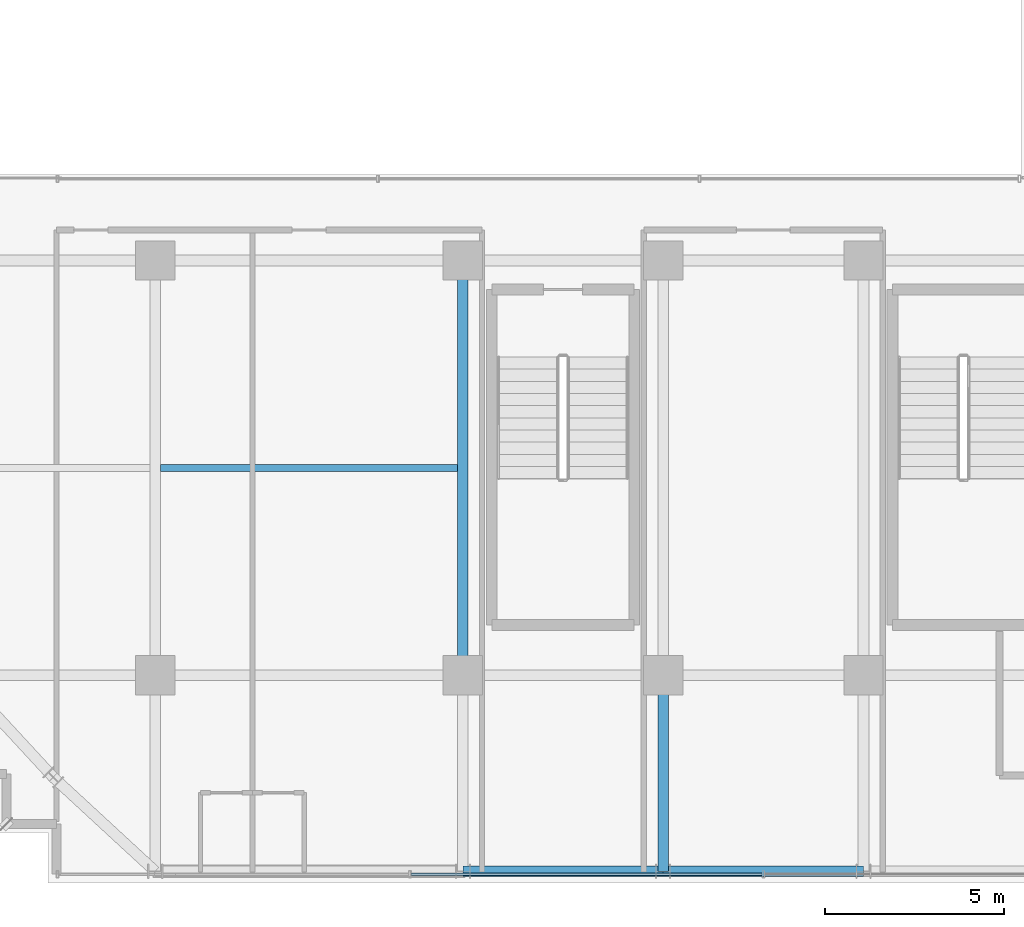
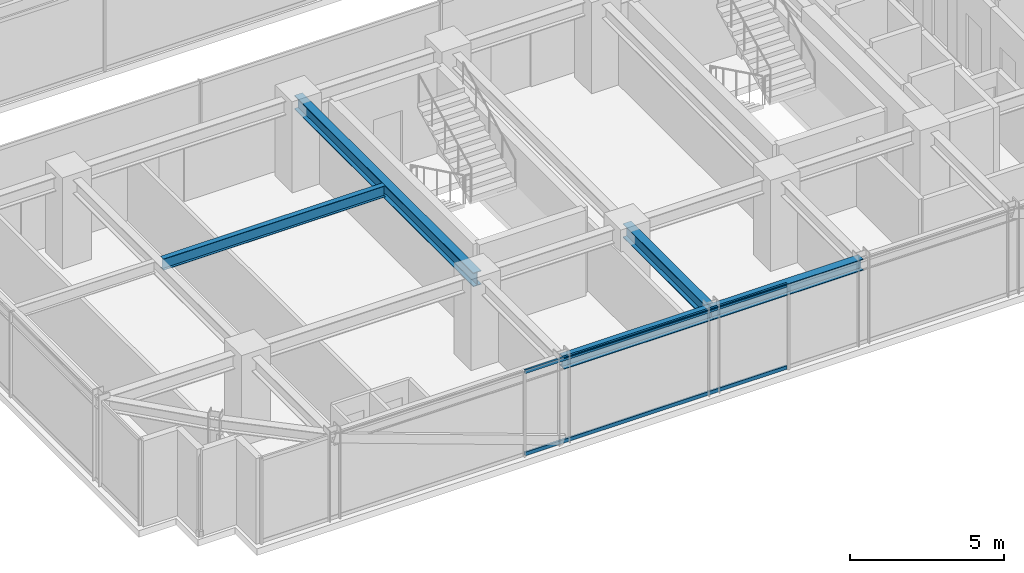
# One storey, part 5 of 41: 5 beams, 2 members, 1 element without a shape of its own.
"""IFC4 building model written with IfcOpenShell, lengths in metres."""

from ifc_helpers import new_model, si_unit, direction, frame, origin, origin_2d, place, context, subcontext, project, spatial, hollow_rectangle, i_section, extrude, source, transform, mapped, material, material_profile, profile_set, type_object, element, aggregate, save


model = new_model("IFC4")

# Units and contexts
model_context = context("Model", 3, precision=1e-05, world=origin(), true_north=direction((0.0, 1.0)))
body_context = subcontext(model_context, "Body", "Model", "MODEL_VIEW")
ifc_project = project(units=[si_unit("LENGTHUNIT", "METRE"), si_unit("AREAUNIT", "SQUARE_METRE"), si_unit("VOLUMEUNIT", "CUBIC_METRE"), si_unit("PLANEANGLEUNIT", "RADIAN"), si_unit("MASSUNIT", "GRAM", prefix="KILO")], contexts=[model_context])

# Site, building, storey
site_placement = place(None, origin())
site = spatial("IfcSite", under=ifc_project, at=site_placement, CompositionType="ELEMENT")
building_placement = place(site_placement, origin())
building = spatial("IfcBuilding", under=site, at=building_placement, Name="Nahalor Promenade Grand Hotel", CompositionType="ELEMENT")
storey_placement = place(building_placement, frame((0.0, 0.0, 159.949951171875)))
storey = spatial("IfcBuildingStorey", under=building, at=storey_placement, Name="L40", CompositionType="ELEMENT", Elevation=159.949951171875)

# Beams
ifc_material_1 = material(Name="Steel S355JR", Category="steel")
ifc_material_profile_1 = material_profile(ifc_material_1, i_section(OverallWidth=0.3, OverallDepth=0.55, WebThickness=0.015, FlangeThickness=0.029, at=origin_2d()), Name="HEB 550")
ifc_profile_set_1 = profile_set([ifc_material_profile_1], Name="Steel S355JR")
beam_type_1 = type_object("IfcBeamType", Name="Beam-Girder-HEB550", PredefinedType="BEAM", material=ifc_profile_set_1)
shared_shape_1 = source(origin(), body_context, "Body", "SweptSolid", [
    extrude(i_section(OverallWidth=0.3, OverallDepth=0.55, WebThickness=0.015, FlangeThickness=0.029, at=origin_2d()), origin(), (0.0, 0.0, 1.0), 11.60009765625),
])
beam_1_placement = place(storey_placement, frame((-8.39990234375, -17.0, 3.114990234375), z_axis=(0.0, 1.0, 0.0), x_axis=(-1.0, 0.0, 0.0)))
element("IfcBeam", 1, at=beam_1_placement, inside=storey, type_object=beam_type_1, Name="BM-L40-GY-1-1", PredefinedType="BEAM", context=body_context, shape_type="MappedRepresentation", body=[
    mapped(shared_shape_1, transform((0.0, 0.0, 0.0), scale=1.0)),
])
ifc_material_profile_2 = material_profile(ifc_material_1, i_section(OverallWidth=0.19, OverallDepth=0.45, WebThickness=0.0094, FlangeThickness=0.0146, at=origin_2d()), Name="IPE 450")
ifc_profile_set_2 = profile_set([ifc_material_profile_2], Name="Steel S355JR")
beam_type_2 = type_object("IfcBeamType", Name="Beam-Joist-IPE450", PredefinedType="JOIST", material=ifc_profile_set_2)
shared_shape_2 = source(origin(), body_context, "Body", "SweptSolid", [
    extrude(i_section(OverallWidth=0.19, OverallDepth=0.45, WebThickness=0.0094, FlangeThickness=0.0146, at=origin_2d()), origin(), (0.0, 0.0, 1.0), 8.300048828125),
])
beam_2_placement = place(storey_placement, frame((-16.85009765625, -11.199951171875, 3.1650390625), z_axis=(1.0, 0.0, 0.0), x_axis=(0.0, 1.0, 0.0)))
element("IfcBeam", 2, at=beam_2_placement, inside=storey, type_object=beam_type_2, Name="BM-L40-JSW-0-1", PredefinedType="JOIST", context=body_context, shape_type="MappedRepresentation", body=[
    mapped(shared_shape_2, transform((0.0, 0.0, 0.0), scale=1.0)),
])
shared_shape_3 = source(origin(), body_context, "Body", "SweptSolid", [
    extrude(i_section(OverallWidth=0.3, OverallDepth=0.55, WebThickness=0.015, FlangeThickness=0.029, at=origin_2d()), origin(), (0.0, 0.0, 1.0), 5.47998046875),
])
beam_3_placement = place(storey_placement, frame((-2.800048828125, -22.47998046875, 3.114990234375), z_axis=(0.0, 1.0, 0.0), x_axis=(-1.0, 0.0, 0.0)))
element("IfcBeam", 3, at=beam_3_placement, inside=storey, type_object=beam_type_1, Name="BM-L40-GY-2-0", PredefinedType="BEAM", context=body_context, shape_type="MappedRepresentation", body=[
    mapped(shared_shape_3, transform((0.0, 0.0, 0.0), scale=1.0)),
])
ifc_material_profile_3 = material_profile(ifc_material_1, i_section(OverallWidth=0.3, OverallDepth=0.45, WebThickness=0.014, FlangeThickness=0.026, at=origin_2d()), Name="HEB 450")
ifc_profile_set_3 = profile_set([ifc_material_profile_3], Name="Steel S355JR")
beam_type_3 = type_object("IfcBeamType", Name="Beam-Spandrel-HEB450", PredefinedType="SPANDREL", material=ifc_profile_set_3)
shared_shape_4 = source(origin(), body_context, "Body", "SweptSolid", [
    extrude(i_section(OverallWidth=0.3, OverallDepth=0.45, WebThickness=0.014, FlangeThickness=0.026, at=origin_2d()), origin(), (0.0, 0.0, 1.0), 5.599853515625),
])
beam_4_placement = place(storey_placement, frame((-8.39990234375, -22.47998046875, 3.1650390625), z_axis=(1.0, 0.0, 0.0), x_axis=(0.0, 1.0, 0.0)))
element("IfcBeam", 4, at=beam_4_placement, inside=storey, type_object=beam_type_3, Name="BM-L40-SP-S-1", PredefinedType="SPANDREL", context=body_context, shape_type="MappedRepresentation", body=[
    mapped(shared_shape_4, transform((0.0, 0.0, 0.0), scale=1.0)),
])
shared_shape_5 = source(origin(), body_context, "Body", "SweptSolid", [
    extrude(i_section(OverallWidth=0.3, OverallDepth=0.45, WebThickness=0.014, FlangeThickness=0.026, at=origin_2d()), origin(), (0.0, 0.0, 1.0), 5.60009765625),
])
beam_5_placement = place(storey_placement, frame((-2.800048828125, -22.47998046875, 3.1650390625), z_axis=(1.0, 0.0, 0.0), x_axis=(0.0, 1.0, 0.0)))
element("IfcBeam", 5, at=beam_5_placement, inside=storey, type_object=beam_type_3, Name="BM-L40-SP-S-2", PredefinedType="SPANDREL", context=body_context, shape_type="MappedRepresentation", body=[
    mapped(shared_shape_5, transform((0.0, 0.0, 0.0), scale=1.0)),
])

# Curtain wall, members
ifc_material_2 = material(Name="Anodised Bronze Aluminium EN AW-6063 T6", Category="aluminium")
curtain_wall_type = type_object("IfcCurtainWallType", Name="CW3 Elliptical-Void Collar Unitised Curtain Wall", PredefinedType="USERDEFINED", material=ifc_material_2)
curtain_wall_placement = place(storey_placement, origin())
curtain_wall = element("IfcCurtainWall", 6, at=curtain_wall_placement, inside=storey, type_object=curtain_wall_type, Name="L40 Curtain Wall CW-L40-S-1", ObjectType="UNITISED_CURTAIN_WALL", PredefinedType="USERDEFINED")
ifc_material_profile_4 = material_profile(ifc_material_2, hollow_rectangle(XDim=0.07, YDim=0.14, WallThickness=0.004, at=origin_2d()), Name="CWT 70x140x4")
ifc_profile_set_4 = profile_set([ifc_material_profile_4], Name="Anodised Bronze Aluminium EN AW-6063 T6")
member_type = type_object("IfcMemberType", Name="CWT3 Void Collar Transom 70x140", PredefinedType="USERDEFINED", material=ifc_profile_set_4)
shared_shape_6 = source(origin(), body_context, "Body", "SweptSolid", [
    extrude(hollow_rectangle(XDim=0.07, YDim=0.14, WallThickness=0.004, at=origin_2d()), origin(), (0.0, 0.0, 1.0), 9.81005859375),
])
member_1_placement = place(storey_placement, frame((-9.844970703125, -22.56005859375, 0.070068359375), z_axis=(1.0, 0.0, 0.0), x_axis=(0.0, 1.0, 0.0)))
member_1 = element("IfcMember", 7, at=member_1_placement, type_object=member_type, Name="CW-L40-S-1 Transom 1-0", ObjectType="TRANSOM", PredefinedType="USERDEFINED", context=body_context, shape_type="MappedRepresentation", body=[
    mapped(shared_shape_6, transform((0.0, 0.0, 0.0), scale=1.0)),
])
member_2_placement = place(storey_placement, frame((-9.844970703125, -22.56005859375, 3.320068359375), z_axis=(1.0, 0.0, 0.0), x_axis=(0.0, 1.0, 0.0)))
member_2 = element("IfcMember", 8, at=member_2_placement, type_object=member_type, Name="CW-L40-S-1 Transom 1-1", ObjectType="TRANSOM", PredefinedType="USERDEFINED", context=body_context, shape_type="MappedRepresentation", body=[
    mapped(shared_shape_6, transform((0.0, 0.0, 0.0), scale=1.0)),
])
aggregate(curtain_wall, [member_1, member_2])

save(model, "model.ifc")
